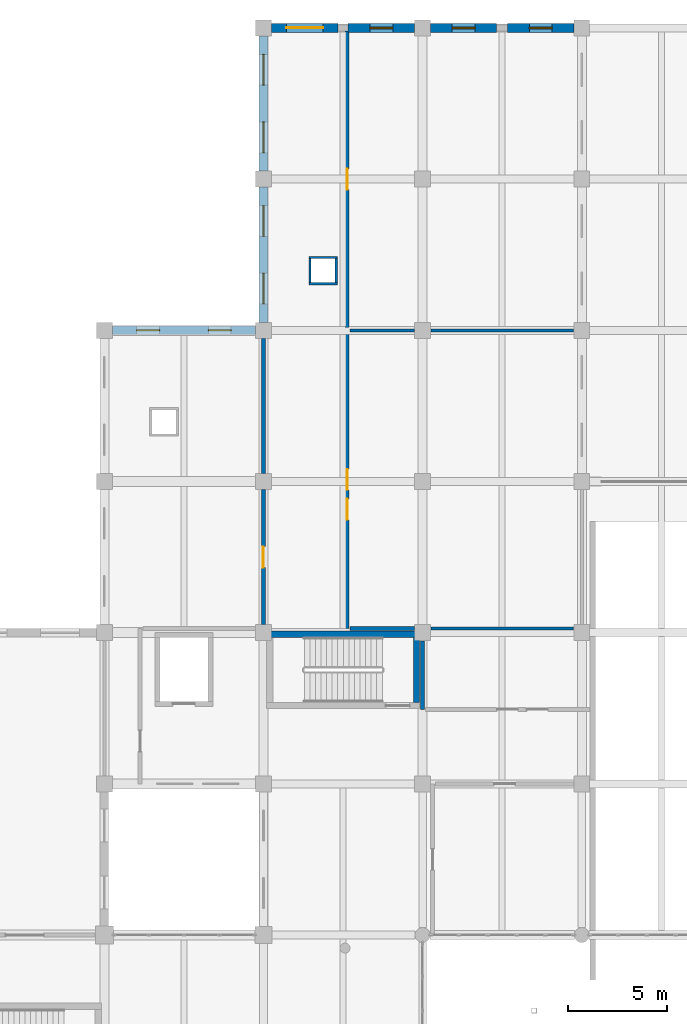
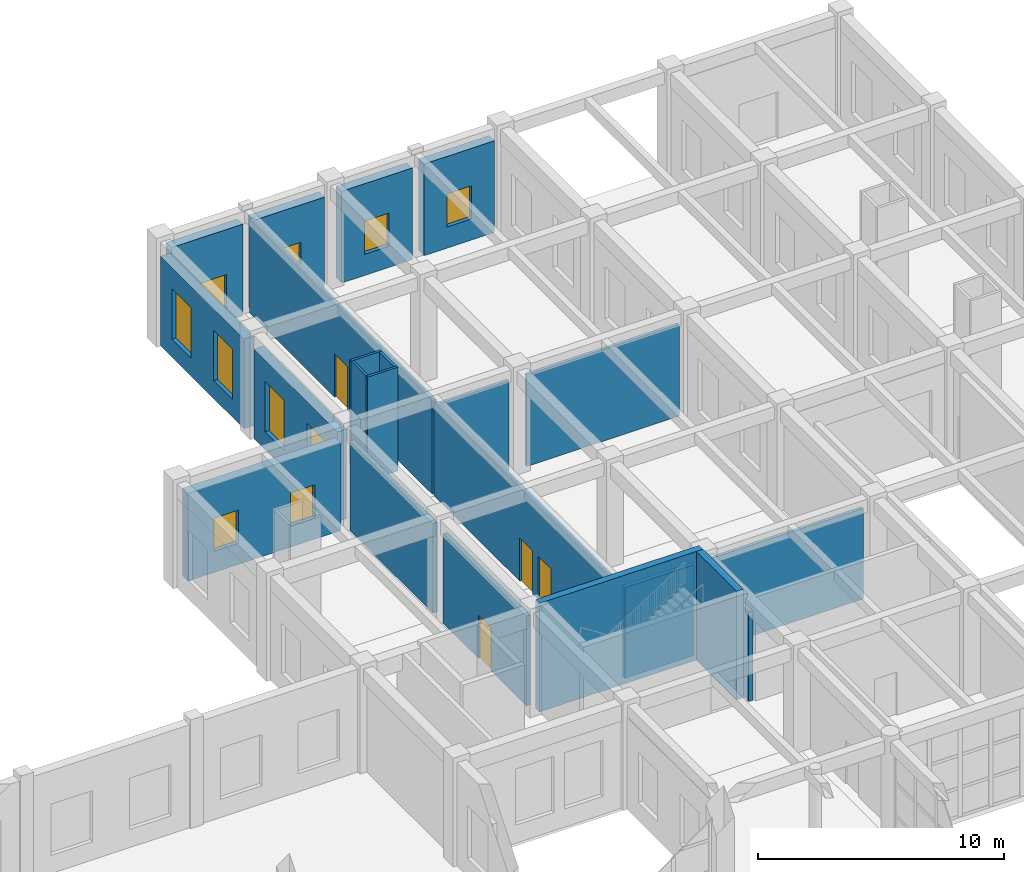
# One storey, part 80 of 95: 22 walls, 9 windows, 5 doors, 14 openings.
"""IFC4 building model written with IfcOpenShell, lengths in metres."""

from ifc_helpers import new_model, si_unit, direction, frame, frame_2d, origin, place, context, subcontext, project, spatial, rectangle, extrude, material, layer, layer_set, type_object, element, fill, save


model = new_model("IFC4")

# Units and contexts
model_context = context("Model", 3, precision=1e-05, world=origin(), true_north=direction((0.0, 1.0)))
body_context = subcontext(model_context, "Body", "Model", "MODEL_VIEW")
ifc_project = project(units=[si_unit("LENGTHUNIT", "METRE"), si_unit("AREAUNIT", "SQUARE_METRE"), si_unit("VOLUMEUNIT", "CUBIC_METRE"), si_unit("PLANEANGLEUNIT", "RADIAN"), si_unit("MASSUNIT", "GRAM", prefix="KILO")], contexts=[model_context])

# Site, building, storey
site_placement = place(None, origin())
site = spatial("IfcSite", under=ifc_project, at=site_placement, CompositionType="ELEMENT")
building_placement = place(site_placement, origin())
building = spatial("IfcBuilding", under=site, at=building_placement, Name="Zantavel Square City Hall", CompositionType="ELEMENT")
storey_placement = place(building_placement, origin())
storey = spatial("IfcBuildingStorey", under=building, at=storey_placement, Name="L01", CompositionType="ELEMENT", Elevation=0.0)

# Walls
ifc_material_1 = material(Name="Concrete C40/50", Category="concrete")
ifc_layer_1 = layer(ifc_material_1, 0.320068359375, Name="Concrete C40/50")
ifc_layer_set_1 = layer_set([ifc_layer_1], Name="Concrete C40/50")
wall_type_1 = type_object("IfcWallType", Name="Core Shear Wall RC 320mm C40/50", PredefinedType="SHEAR", material=ifc_layer_set_1)
wall_1_placement = place(storey_placement, frame((112.14990234375, 83.530029296875, 0.0), z_axis=(0.0, 0.0, 1.0), x_axis=(1.0, 0.0, 0.0)))
element("IfcWall", 1, at=wall_1_placement, inside=storey, type_object=wall_type_1, Name="L01 Exit Stair 2 North-East Core Shear Wall North", PredefinedType="SHEAR", context=body_context, shape_type="SweptSolid", body=[
    extrude(rectangle(XDim=7.7001953125, YDim=0.320068359375, at=frame_2d((3.85009765625, 0.0))), origin(), (0.0, 0.0, 1.0), 5.39990234375),
])
wall_2_placement = place(storey_placement, frame((119.68994140625, 83.3701171875, 0.0), z_axis=(0.0, 0.0, 1.0), x_axis=(0.0, -1.0, 0.0)))
element("IfcWall", 2, at=wall_2_placement, inside=storey, type_object=wall_type_1, Name="L01 Exit Stair 2 North-East Core Shear Wall East", PredefinedType="SHEAR", context=body_context, shape_type="SweptSolid", body=[
    extrude(rectangle(XDim=3.27001953125, YDim=0.320068359375, at=frame_2d((1.635009765625, 0.0))), origin(), (0.0, 0.0, 1.0), 5.39990234375),
])
ifc_material_2 = material(Name="Gypsum acoustic stud assembly", Category="masonry")
ifc_layer_2 = layer(ifc_material_2, 0.14990234375, Name="Gypsum acoustic stud assembly")
ifc_layer_set_2 = layer_set([ifc_layer_2], Name="Gypsum acoustic stud assembly")
wall_type_2 = type_object("IfcWallType", Name="Department Office Partition 150mm", PredefinedType="PARTITIONING", material=ifc_layer_set_2)
wall_3_placement = place(storey_placement, frame((116.35009765625, 98.800048828125, 0.0), z_axis=(0.0, 0.0, 1.0), x_axis=(1.0, 0.0, 0.0)))
element("IfcWall", 3, at=wall_3_placement, inside=storey, type_object=wall_type_2, Name="L01 Interior Wall IW-L01-0109", PredefinedType="PARTITIONING", context=body_context, shape_type="SweptSolid", body=[
    extrude(rectangle(XDim=3.239990234375, YDim=0.14990234375, at=frame_2d((1.6201171875, 0.0))), origin(), (0.0, 0.0, 1.0), 4.56005859375),
])
wall_4_placement = place(storey_placement, frame((120.409912109375, 98.800048828125, 0.0), z_axis=(0.0, 0.0, 1.0), x_axis=(1.0, 0.0, 0.0)))
element("IfcWall", 4, at=wall_4_placement, inside=storey, type_object=wall_type_2, Name="L01 Interior Wall IW-L01-0110", PredefinedType="PARTITIONING", context=body_context, shape_type="SweptSolid", body=[
    extrude(rectangle(XDim=7.18017578125, YDim=0.14990234375, at=frame_2d((3.590087890625, 0.0))), origin(), (0.0, 0.0, 1.0), 4.56005859375),
])
wall_5_placement = place(storey_placement, frame((127.590087890625, 83.800048828125, 0.0), z_axis=(0.0, 0.0, 1.0), x_axis=(-1.0, 0.0, 0.0)))
element("IfcWall", 5, at=wall_5_placement, inside=storey, type_object=wall_type_2, Name="L01 Interior Wall IW-L01-0112", PredefinedType="PARTITIONING", context=body_context, shape_type="SweptSolid", body=[
    extrude(rectangle(XDim=7.18017578125, YDim=0.14990234375, at=frame_2d((3.590087890625, 0.0))), origin(), (0.0, 0.0, 1.0), 4.510009765625),
])

# Wall, openings, doors
ifc_material_3 = material(Name="Cantera volcanic tuff stone", Category="masonry")
ifc_layer_3 = layer(ifc_material_3, 0.199951171875, Name="Cantera volcanic tuff stone")
ifc_layer_set_3 = layer_set([ifc_layer_3], Name="Cantera volcanic tuff stone")
wall_type_3 = type_object("IfcWallType", Name="Exit Corridor Rated Wall 200mm", PredefinedType="STANDARD", material=ifc_layer_set_3)
wall_6_placement = place(storey_placement, frame((116.199951171875, 98.800048828125, 0.0), z_axis=(0.0, 0.0, 1.0), x_axis=(0.0, -1.0, 0.0)))
wall_6 = element("IfcWall", 6, at=wall_6_placement, inside=storey, type_object=wall_type_3, Name="L01 Interior Wall IW-L01-0076", PredefinedType="STANDARD", context=body_context, shape_type="SweptSolid", body=[
    extrude(rectangle(XDim=15.0, YDim=0.199951171875, at=frame_2d((7.5, 0.0))), origin(), (0.0, 0.0, 1.0), 4.659912109375),
])
opening_1_placement = place(wall_6_placement, frame((6.97509765625, 0.0, 0.0)))
opening_1 = element("IfcOpeningElement", 7, at=opening_1_placement, cuts=wall_6, Name="Opening D-0033", PredefinedType="OPENING", context=body_context, shape_type="SweptSolid", body=[
    extrude(rectangle(XDim=1.050048828125, YDim=2.14990234375, at=frame_2d((0.52490234375, 1.074951171875))), frame((0.0, 0.10986328125, 0.0), z_axis=(0.0, -1.0, 0.0), x_axis=(1.0, 0.0, 0.0)), (0.0, 0.0, 1.0), 0.219970703125),
])
opening_2_placement = place(wall_6_placement, frame((8.47509765625, 0.0, 0.0)))
opening_2 = element("IfcOpeningElement", 8, at=opening_2_placement, cuts=wall_6, Name="Opening D-0064", PredefinedType="OPENING", context=body_context, shape_type="SweptSolid", body=[
    extrude(rectangle(XDim=1.050048828125, YDim=2.14990234375, at=frame_2d((0.52490234375, 1.074951171875))), frame((0.0, 0.10986328125, 0.0), z_axis=(0.0, -1.0, 0.0), x_axis=(1.0, 0.0, 0.0)), (0.0, 0.0, 1.0), 0.219970703125),
])
ifc_material_4 = material(Name="Solid oak hardwood", Category="wood")
door_type_1 = type_object("IfcDoorType", Name="Corridor Office Oak Fire Door 1050x2150 FD60S", OperationType="NOTDEFINED", PredefinedType="DOOR", material=ifc_material_4)
door_1_placement = place(opening_1_placement, origin())
door_1 = element("IfcDoor", 9, at=door_1_placement, inside=storey, type_object=door_type_1, Name="L01 Business Licensing and Permits Office Door", OperationType="SINGLE_SWING_LEFT", OverallHeight=2.14990234375, OverallWidth=1.050048828125, PredefinedType="DOOR", context=body_context, shape_type="SweptSolid", body=[
    extrude(rectangle(XDim=1.050048828125, YDim=2.14990234375, at=frame_2d((0.52490234375, 1.074951171875))), frame((0.0, 0.02490234375, 0.0), z_axis=(0.0, -1.0, 0.0), x_axis=(1.0, 0.0, 0.0)), (0.0, 0.0, 1.0), 0.050048828125),
])
fill(opening_1, door_1)
door_2_placement = place(opening_2_placement, origin())
door_2 = element("IfcDoor", 10, at=door_2_placement, inside=storey, type_object=door_type_1, Name="L01 Business Licensing and Permits Office Door", OperationType="SINGLE_SWING_RIGHT", OverallHeight=2.14990234375, OverallWidth=1.050048828125, PredefinedType="DOOR", context=body_context, shape_type="SweptSolid", body=[
    extrude(rectangle(XDim=1.050048828125, YDim=2.14990234375, at=frame_2d((0.52490234375, 1.074951171875))), frame((0.0, 0.02490234375, 0.0), z_axis=(0.0, -1.0, 0.0), x_axis=(1.0, 0.0, 0.0)), (0.0, 0.0, 1.0), 0.050048828125),
])
fill(opening_2, door_2)

# Wall, opening, door
wall_7_placement = place(storey_placement, frame((116.199951171875, 113.840087890625, 0.0), z_axis=(0.0, 0.0, 1.0), x_axis=(0.0, -1.0, 0.0)))
wall_7 = element("IfcWall", 11, at=wall_7_placement, inside=storey, type_object=wall_type_3, Name="L01 Interior Wall IW-L01-0077", PredefinedType="STANDARD", context=body_context, shape_type="SweptSolid", body=[
    extrude(rectangle(XDim=14.89013671875, YDim=0.199951171875, at=frame_2d((7.445068359375, 0.0))), origin(), (0.0, 0.0, 1.0), 4.659912109375),
])
opening_3_placement = place(wall_7_placement, frame((6.919921875, 0.0, 0.0)))
opening_3 = element("IfcOpeningElement", 12, at=opening_3_placement, cuts=wall_7, Name="Opening D-0034", PredefinedType="OPENING", context=body_context, shape_type="SweptSolid", body=[
    extrude(rectangle(XDim=1.050048828125, YDim=2.14990234375, at=frame_2d((0.52490234375, 1.074951171875))), frame((0.0, 0.10986328125, 0.0), z_axis=(0.0, -1.0, 0.0), x_axis=(1.0, 0.0, 0.0)), (0.0, 0.0, 1.0), 0.219970703125),
])
door_3_placement = place(opening_3_placement, origin())
door_3 = element("IfcDoor", 13, at=door_3_placement, inside=storey, type_object=door_type_1, Name="L01 Property Revenue Service Office Door", OperationType="SINGLE_SWING_RIGHT", OverallHeight=2.14990234375, OverallWidth=1.050048828125, PredefinedType="DOOR", context=body_context, shape_type="SweptSolid", body=[
    extrude(rectangle(XDim=1.050048828125, YDim=2.14990234375, at=frame_2d((0.52490234375, 1.074951171875))), frame((0.0, 0.02490234375, 0.0), z_axis=(0.0, -1.0, 0.0), x_axis=(1.0, 0.0, 0.0)), (0.0, 0.0, 1.0), 0.050048828125),
])
fill(opening_3, door_3)

wall_8_placement = place(storey_placement, frame((112.0, 84.010009765625, 0.0), z_axis=(0.0, 0.0, 1.0), x_axis=(0.0, 1.0, 0.0)))
wall_8 = element("IfcWall", 14, at=wall_8_placement, inside=storey, type_object=wall_type_3, Name="L01 Interior Wall IW-L01-0078", PredefinedType="STANDARD", context=body_context, shape_type="SweptSolid", body=[
    extrude(rectangle(XDim=6.780029296875, YDim=0.199951171875, at=frame_2d((3.39013671875, 0.0))), origin(), (0.0, 0.0, 1.0), 4.4599609375),
])
opening_4_placement = place(wall_8_placement, frame((2.864990234375, 0.0, 0.0)))
opening_4 = element("IfcOpeningElement", 15, at=opening_4_placement, cuts=wall_8, Name="Opening D-0035", PredefinedType="OPENING", context=body_context, shape_type="SweptSolid", body=[
    extrude(rectangle(XDim=1.050048828125, YDim=2.14990234375, at=frame_2d((0.52490234375, 1.074951171875))), frame((0.0, 0.10986328125, 0.0), z_axis=(0.0, -1.0, 0.0), x_axis=(1.0, 0.0, 0.0)), (0.0, 0.0, 1.0), 0.219970703125),
])
door_4_placement = place(opening_4_placement, origin())
door_4 = element("IfcDoor", 16, at=door_4_placement, inside=storey, type_object=door_type_1, Name="L01 L01 Municipal Support Office 1 Door", OperationType="SINGLE_SWING_LEFT", OverallHeight=2.14990234375, OverallWidth=1.050048828125, PredefinedType="DOOR", context=body_context, shape_type="SweptSolid", body=[
    extrude(rectangle(XDim=1.050048828125, YDim=2.14990234375, at=frame_2d((0.52490234375, 1.074951171875))), frame((0.0, 0.02490234375, 0.0), z_axis=(0.0, -1.0, 0.0), x_axis=(1.0, 0.0, 0.0)), (0.0, 0.0, 1.0), 0.050048828125),
])
fill(opening_4, door_4)

# Walls
wall_9_placement = place(storey_placement, frame((112.0, 91.610107421875, 0.0), z_axis=(0.0, 0.0, 1.0), x_axis=(0.0, 1.0, 0.0)))
element("IfcWall", 17, at=wall_9_placement, inside=storey, type_object=wall_type_3, Name="L01 Interior Wall IW-L01-0079", PredefinedType="STANDARD", context=body_context, shape_type="SweptSolid", body=[
    extrude(rectangle(XDim=6.77978515625, YDim=0.199951171875, at=frame_2d((3.389892578125, 0.0))), origin(), (0.0, 0.0, 1.0), 4.4599609375),
])
wall_10_placement = place(storey_placement, frame((116.35009765625, 83.800048828125, 0.0), z_axis=(0.0, 0.0, 1.0), x_axis=(1.0, 0.0, 0.0)))
element("IfcWall", 18, at=wall_10_placement, inside=storey, type_object=wall_type_3, Name="L01 Interior Wall IW-L01-0091", PredefinedType="STANDARD", context=body_context, shape_type="SweptSolid", body=[
    extrude(rectangle(XDim=3.239990234375, YDim=0.199951171875, at=frame_2d((1.6201171875, 0.0))), origin(), (0.0, 0.0, 1.0), 4.510009765625),
])
wall_11_placement = place(storey_placement, frame((120.0, 83.18994140625, 0.0), z_axis=(0.0, 0.0, 1.0), x_axis=(0.0, -1.0, 0.0)))
element("IfcWall", 19, at=wall_11_placement, inside=storey, type_object=wall_type_3, Name="L01 Interior Wall IW-L01-0094", PredefinedType="STANDARD", context=body_context, shape_type="SweptSolid", body=[
    extrude(rectangle(XDim=3.43994140625, YDim=0.199951171875, at=frame_2d((1.719970703125, 0.0))), origin(), (0.0, 0.0, 1.0), 4.4599609375),
])
ifc_material_5 = material(Name="Concrete C35/45", Category="concrete")
ifc_layer_4 = layer(ifc_material_5, 0.1201171875, Name="Concrete C35/45")
ifc_layer_set_4 = layer_set([ifc_layer_4], Name="Concrete C35/45")
wall_type_4 = type_object("IfcWallType", Name="Riser Chase Wall RC 120mm C35/45", PredefinedType="PARTITIONING", material=ifc_layer_set_4)
wall_12_placement = place(storey_placement, frame((115.719970703125, 101.139892578125, 0.0), z_axis=(0.0, 0.0, 1.0), x_axis=(-1.0, 0.0, 0.0)))
element("IfcWall", 20, at=wall_12_placement, inside=storey, type_object=wall_type_4, Name="L01 MEP Riser 23 Wall S", PredefinedType="PARTITIONING", context=body_context, shape_type="SweptSolid", body=[
    extrude(rectangle(XDim=1.43994140625, YDim=0.1201171875, at=frame_2d((0.719970703125, 0.0))), origin(), (0.0, 0.0, 1.0), 5.159912109375),
])
wall_13_placement = place(storey_placement, frame((114.340087890625, 101.199951171875, 0.0), z_axis=(0.0, 0.0, 1.0), x_axis=(0.0, 1.0, 0.0)))
element("IfcWall", 21, at=wall_13_placement, inside=storey, type_object=wall_type_4, Name="L01 MEP Riser 23 Wall W", PredefinedType="PARTITIONING", context=body_context, shape_type="SweptSolid", body=[
    extrude(rectangle(XDim=1.199951171875, YDim=0.1201171875, at=frame_2d((0.60009765625, 0.0))), origin(), (0.0, 0.0, 1.0), 5.159912109375),
])
wall_14_placement = place(storey_placement, frame((114.280029296875, 102.4599609375, 0.0), z_axis=(0.0, 0.0, 1.0), x_axis=(1.0, 0.0, 0.0)))
element("IfcWall", 22, at=wall_14_placement, inside=storey, type_object=wall_type_4, Name="L01 MEP Riser 23 Wall N", PredefinedType="PARTITIONING", context=body_context, shape_type="SweptSolid", body=[
    extrude(rectangle(XDim=1.43994140625, YDim=0.1201171875, at=frame_2d((0.719970703125, 0.0))), origin(), (0.0, 0.0, 1.0), 5.159912109375),
])
wall_15_placement = place(storey_placement, frame((115.659912109375, 102.39990234375, 0.0), z_axis=(0.0, 0.0, 1.0), x_axis=(0.0, -1.0, 0.0)))
element("IfcWall", 23, at=wall_15_placement, inside=storey, type_object=wall_type_4, Name="L01 MEP Riser 23 Wall E", PredefinedType="PARTITIONING", context=body_context, shape_type="SweptSolid", body=[
    extrude(rectangle(XDim=1.199951171875, YDim=0.1201171875, at=frame_2d((0.60009765625, 0.0))), origin(), (0.0, 0.0, 1.0), 5.159912109375),
])

# Wall, openings, windows
ifc_material_6 = material(Name="Tezontle volcanic basaltic scoria stone", Category="masonry")
ifc_layer_5 = layer(ifc_material_6, 0.43994140625, Name="Tezontle volcanic basaltic scoria stone")
ifc_layer_set_5 = layer_set([ifc_layer_5], Name="Tezontle volcanic basaltic scoria stone")
wall_type_5 = type_object("IfcWallType", Name="Tezontle Rusticated Plinth Wall 440mm", PredefinedType="STANDARD", material=ifc_layer_set_5)
wall_16_placement = place(storey_placement, frame((104.39990234375, 98.800048828125, 0.0), z_axis=(0.0, 0.0, 1.0), x_axis=(1.0, 0.0, 0.0)))
wall_16 = element("IfcWall", 24, at=wall_16_placement, inside=storey, type_object=wall_type_5, Name="L01 Exterior Wall EW-L01-031", PredefinedType="STANDARD", context=body_context, shape_type="SweptSolid", body=[
    extrude(rectangle(XDim=7.2001953125, YDim=0.43994140625, at=frame_2d((3.60009765625, 0.0))), origin(), (0.0, 0.0, 1.0), 4.360107421875),
])
opening_5_placement = place(wall_16_placement, frame((1.22509765625, 0.0, 1.050048828125)))
opening_5 = element("IfcOpeningElement", 25, at=opening_5_placement, cuts=wall_16, Name="Opening W-045", PredefinedType="OPENING", context=body_context, shape_type="SweptSolid", body=[
    extrude(rectangle(XDim=1.14990234375, YDim=1.64990234375, at=frame_2d((0.574951171875, 0.824951171875))), frame((0.0, 0.22998046875, 0.0), z_axis=(0.0, -1.0, 0.0), x_axis=(1.0, 0.0, 0.0)), (0.0, 0.0, 1.0), 0.4599609375),
])
opening_6_placement = place(wall_16_placement, frame((4.824951171875, 0.0, 1.050048828125)))
opening_6 = element("IfcOpeningElement", 26, at=opening_6_placement, cuts=wall_16, Name="Opening W-046", PredefinedType="OPENING", context=body_context, shape_type="SweptSolid", body=[
    extrude(rectangle(XDim=1.14990234375, YDim=1.64990234375, at=frame_2d((0.574951171875, 0.824951171875))), frame((0.0, 0.22998046875, 0.0), z_axis=(0.0, -1.0, 0.0), x_axis=(1.0, 0.0, 0.0)), (0.0, 0.0, 1.0), 0.4599609375),
])
ifc_material_7 = material(Name="Tempered safety glass low-E double glazing", Category="glass")
window_type_1 = type_object("IfcWindowType", Name="Window Ground North Compact 1150x1650", PartitioningType="SINGLE_PANEL", PredefinedType="WINDOW", material=ifc_material_7)
window_1_placement = place(opening_5_placement, origin())
window_1 = element("IfcWindow", 27, at=window_1_placement, inside=storey, type_object=window_type_1, Name="L01 Window W-045", OverallHeight=1.64990234375, OverallWidth=1.14990234375, PartitioningType="SINGLE_PANEL", PredefinedType="WINDOW", context=body_context, shape_type="SweptSolid", body=[
    extrude(rectangle(XDim=1.14990234375, YDim=1.64990234375, at=frame_2d((0.574951171875, 0.824951171875))), frame((0.0, 0.030029296875, 0.0), z_axis=(0.0, -1.0, 0.0), x_axis=(1.0, 0.0, 0.0)), (0.0, 0.0, 1.0), 0.06005859375),
])
fill(opening_5, window_1)
window_2_placement = place(opening_6_placement, origin())
window_2 = element("IfcWindow", 28, at=window_2_placement, inside=storey, type_object=window_type_1, Name="L01 Window W-046", OverallHeight=1.64990234375, OverallWidth=1.14990234375, PartitioningType="SINGLE_PANEL", PredefinedType="WINDOW", context=body_context, shape_type="SweptSolid", body=[
    extrude(rectangle(XDim=1.14990234375, YDim=1.64990234375, at=frame_2d((0.574951171875, 0.824951171875))), frame((0.0, 0.030029296875, 0.0), z_axis=(0.0, -1.0, 0.0), x_axis=(1.0, 0.0, 0.0)), (0.0, 0.0, 1.0), 0.06005859375),
])
fill(opening_6, window_2)

wall_17_placement = place(storey_placement, frame((112.0, 99.199951171875, 0.0), z_axis=(0.0, 0.0, 1.0), x_axis=(0.0, 1.0, 0.0)))
wall_17 = element("IfcWall", 29, at=wall_17_placement, inside=storey, type_object=wall_type_5, Name="L01 Exterior Wall EW-L01-032", PredefinedType="STANDARD", context=body_context, shape_type="SweptSolid", body=[
    extrude(rectangle(XDim=6.800048828125, YDim=0.43994140625, at=frame_2d((3.39990234375, 0.0))), origin(), (0.0, 0.0, 1.0), 4.4599609375),
])
opening_7_placement = place(wall_17_placement, frame((0.925048828125, 0.0, 0.89990234375)))
opening_7 = element("IfcOpeningElement", 30, at=opening_7_placement, cuts=wall_17, Name="Opening W-047", PredefinedType="OPENING", context=body_context, shape_type="SweptSolid", body=[
    extrude(rectangle(XDim=1.550048828125, YDim=2.5, at=frame_2d((0.77490234375, 1.25))), frame((0.0, 0.22998046875, 0.0), z_axis=(0.0, -1.0, 0.0), x_axis=(1.0, 0.0, 0.0)), (0.0, 0.0, 1.0), 0.4599609375),
])
opening_8_placement = place(wall_17_placement, frame((4.324951171875, 0.0, 0.89990234375)))
opening_8 = element("IfcOpeningElement", 31, at=opening_8_placement, cuts=wall_17, Name="Opening W-048", PredefinedType="OPENING", context=body_context, shape_type="SweptSolid", body=[
    extrude(rectangle(XDim=1.550048828125, YDim=2.5, at=frame_2d((0.77490234375, 1.25))), frame((0.0, 0.22998046875, 0.0), z_axis=(0.0, -1.0, 0.0), x_axis=(1.0, 0.0, 0.0)), (0.0, 0.0, 1.0), 0.4599609375),
])
window_type_2 = type_object("IfcWindowType", Name="Window Ground Annex 1550x2500", PartitioningType="DOUBLE_PANEL_VERTICAL", PredefinedType="WINDOW", material=ifc_material_7)
window_3_placement = place(opening_7_placement, origin())
window_3 = element("IfcWindow", 32, at=window_3_placement, inside=storey, type_object=window_type_2, Name="L01 Window W-047", OverallHeight=2.5, OverallWidth=1.550048828125, PartitioningType="DOUBLE_PANEL_VERTICAL", PredefinedType="WINDOW", context=body_context, shape_type="SweptSolid", body=[
    extrude(rectangle(XDim=1.550048828125, YDim=2.5, at=frame_2d((0.77490234375, 1.25))), frame((0.0, 0.030029296875, 0.0), z_axis=(0.0, -1.0, 0.0), x_axis=(1.0, 0.0, 0.0)), (0.0, 0.0, 1.0), 0.06005859375),
])
fill(opening_7, window_3)
window_4_placement = place(opening_8_placement, origin())
window_4 = element("IfcWindow", 33, at=window_4_placement, inside=storey, type_object=window_type_2, Name="L01 Window W-048", OverallHeight=2.5, OverallWidth=1.550048828125, PartitioningType="DOUBLE_PANEL_VERTICAL", PredefinedType="WINDOW", context=body_context, shape_type="SweptSolid", body=[
    extrude(rectangle(XDim=1.550048828125, YDim=2.5, at=frame_2d((0.77490234375, 1.25))), frame((0.0, 0.030029296875, 0.0), z_axis=(0.0, -1.0, 0.0), x_axis=(1.0, 0.0, 0.0)), (0.0, 0.0, 1.0), 0.06005859375),
])
fill(opening_8, window_4)

wall_18_placement = place(storey_placement, frame((112.0, 106.800048828125, 0.0), z_axis=(0.0, 0.0, 1.0), x_axis=(0.0, 1.0, 0.0)))
wall_18 = element("IfcWall", 34, at=wall_18_placement, inside=storey, type_object=wall_type_5, Name="L01 Exterior Wall EW-L01-033", PredefinedType="STANDARD", context=body_context, shape_type="SweptSolid", body=[
    extrude(rectangle(XDim=6.800048828125, YDim=0.43994140625, at=frame_2d((3.39990234375, 0.0))), origin(), (0.0, 0.0, 1.0), 4.4599609375),
])
opening_9_placement = place(wall_18_placement, frame((0.925048828125, 0.0, 0.89990234375)))
opening_9 = element("IfcOpeningElement", 35, at=opening_9_placement, cuts=wall_18, Name="Opening W-049", PredefinedType="OPENING", context=body_context, shape_type="SweptSolid", body=[
    extrude(rectangle(XDim=1.550048828125, YDim=2.5, at=frame_2d((0.77490234375, 1.25))), frame((0.0, 0.22998046875, 0.0), z_axis=(0.0, -1.0, 0.0), x_axis=(1.0, 0.0, 0.0)), (0.0, 0.0, 1.0), 0.4599609375),
])
opening_10_placement = place(wall_18_placement, frame((4.324951171875, 0.0, 0.89990234375)))
opening_10 = element("IfcOpeningElement", 36, at=opening_10_placement, cuts=wall_18, Name="Opening W-050", PredefinedType="OPENING", context=body_context, shape_type="SweptSolid", body=[
    extrude(rectangle(XDim=1.550048828125, YDim=2.5, at=frame_2d((0.77490234375, 1.25))), frame((0.0, 0.22998046875, 0.0), z_axis=(0.0, -1.0, 0.0), x_axis=(1.0, 0.0, 0.0)), (0.0, 0.0, 1.0), 0.4599609375),
])
window_5_placement = place(opening_9_placement, origin())
window_5 = element("IfcWindow", 37, at=window_5_placement, inside=storey, type_object=window_type_2, Name="L01 Window W-049", OverallHeight=2.5, OverallWidth=1.550048828125, PartitioningType="DOUBLE_PANEL_VERTICAL", PredefinedType="WINDOW", context=body_context, shape_type="SweptSolid", body=[
    extrude(rectangle(XDim=1.550048828125, YDim=2.5, at=frame_2d((0.77490234375, 1.25))), frame((0.0, 0.030029296875, 0.0), z_axis=(0.0, -1.0, 0.0), x_axis=(1.0, 0.0, 0.0)), (0.0, 0.0, 1.0), 0.06005859375),
])
fill(opening_9, window_5)
window_6_placement = place(opening_10_placement, origin())
window_6 = element("IfcWindow", 38, at=window_6_placement, inside=storey, type_object=window_type_2, Name="L01 Window W-050", OverallHeight=2.5, OverallWidth=1.550048828125, PartitioningType="DOUBLE_PANEL_VERTICAL", PredefinedType="WINDOW", context=body_context, shape_type="SweptSolid", body=[
    extrude(rectangle(XDim=1.550048828125, YDim=2.5, at=frame_2d((0.77490234375, 1.25))), frame((0.0, 0.030029296875, 0.0), z_axis=(0.0, -1.0, 0.0), x_axis=(1.0, 0.0, 0.0)), (0.0, 0.0, 1.0), 0.06005859375),
])
fill(opening_10, window_6)

# Wall, opening, door
wall_19_placement = place(storey_placement, frame((112.39990234375, 114.0, 0.0), z_axis=(0.0, 0.0, 1.0), x_axis=(1.0, 0.0, 0.0)))
wall_19 = element("IfcWall", 39, at=wall_19_placement, inside=storey, type_object=wall_type_5, Name="L01 Exterior Wall EW-L01-034", PredefinedType="STANDARD", context=body_context, shape_type="SweptSolid", body=[
    extrude(rectangle(XDim=3.35009765625, YDim=0.43994140625, at=frame_2d((1.675048828125, 0.0))), origin(), (0.0, 0.0, 1.0), 4.56005859375),
])
opening_11_placement = place(wall_19_placement, frame((0.7548828125, 0.0, 0.0)))
opening_11 = element("IfcOpeningElement", 40, at=opening_11_placement, cuts=wall_19, Name="Opening ED-005", PredefinedType="OPENING", context=body_context, shape_type="SweptSolid", body=[
    extrude(rectangle(XDim=1.840087890625, YDim=2.320068359375, at=frame_2d((0.919921875, 1.16015625))), frame((0.0, 0.22998046875, 0.0), z_axis=(0.0, -1.0, 0.0), x_axis=(1.0, 0.0, 0.0)), (0.0, 0.0, 1.0), 0.4599609375),
])
ifc_material_8 = material(Name="Steel ASTM A500 Grade B", Category="steel")
door_type_2 = type_object("IfcDoorType", Name="Stair Final Discharge Exit Door 1840x2320", OperationType="NOTDEFINED", PredefinedType="DOOR", material=ifc_material_8)
door_5_placement = place(opening_11_placement, origin())
door_5 = element("IfcDoor", 41, at=door_5_placement, inside=storey, type_object=door_type_2, Name="North-East Wing Street Exit", OperationType="DOUBLE_DOOR_SINGLE_SWING", OverallHeight=2.320068359375, OverallWidth=1.840087890625, PredefinedType="DOOR", context=body_context, shape_type="SweptSolid", body=[
    extrude(rectangle(XDim=1.840087890625, YDim=2.320068359375, at=frame_2d((0.919921875, 1.16015625))), frame((0.0, 0.02490234375, 0.0), z_axis=(0.0, -1.0, 0.0), x_axis=(1.0, 0.0, 0.0)), (0.0, 0.0, 1.0), 0.050048828125),
])
fill(opening_11, door_5)

# Wall, opening, window
wall_20_placement = place(storey_placement, frame((116.25, 114.0, 0.0), z_axis=(0.0, 0.0, 1.0), x_axis=(1.0, 0.0, 0.0)))
wall_20 = element("IfcWall", 42, at=wall_20_placement, inside=storey, type_object=wall_type_5, Name="L01 Exterior Wall EW-L01-035", PredefinedType="STANDARD", context=body_context, shape_type="SweptSolid", body=[
    extrude(rectangle(XDim=3.35009765625, YDim=0.43994140625, at=frame_2d((1.675048828125, 0.0))), origin(), (0.0, 0.0, 1.0), 4.56005859375),
])
opening_12_placement = place(wall_20_placement, frame((1.10009765625, 0.0, 1.050048828125)))
opening_12 = element("IfcOpeningElement", 43, at=opening_12_placement, cuts=wall_20, Name="Opening W-051", PredefinedType="OPENING", context=body_context, shape_type="SweptSolid", body=[
    extrude(rectangle(XDim=1.14990234375, YDim=1.64990234375, at=frame_2d((0.574951171875, 0.824951171875))), frame((0.0, 0.22998046875, 0.0), z_axis=(0.0, -1.0, 0.0), x_axis=(1.0, 0.0, 0.0)), (0.0, 0.0, 1.0), 0.4599609375),
])
window_7_placement = place(opening_12_placement, origin())
window_7 = element("IfcWindow", 44, at=window_7_placement, inside=storey, type_object=window_type_1, Name="L01 Window W-051", OverallHeight=1.64990234375, OverallWidth=1.14990234375, PartitioningType="SINGLE_PANEL", PredefinedType="WINDOW", context=body_context, shape_type="SweptSolid", body=[
    extrude(rectangle(XDim=1.14990234375, YDim=1.64990234375, at=frame_2d((0.574951171875, 0.824951171875))), frame((0.0, 0.030029296875, 0.0), z_axis=(0.0, -1.0, 0.0), x_axis=(1.0, 0.0, 0.0)), (0.0, 0.0, 1.0), 0.06005859375),
])
fill(opening_12, window_7)

wall_21_placement = place(storey_placement, frame((120.39990234375, 114.0, 0.0), z_axis=(0.0, 0.0, 1.0), x_axis=(1.0, 0.0, 0.0)))
wall_21 = element("IfcWall", 45, at=wall_21_placement, inside=storey, type_object=wall_type_5, Name="L01 Exterior Wall EW-L01-036", PredefinedType="STANDARD", context=body_context, shape_type="SweptSolid", body=[
    extrude(rectangle(XDim=3.3251953125, YDim=0.43994140625, at=frame_2d((1.66259765625, 0.0))), origin(), (0.0, 0.0, 1.0), 4.56005859375),
])
opening_13_placement = place(wall_21_placement, frame((1.08740234375, 0.0, 1.050048828125)))
opening_13 = element("IfcOpeningElement", 46, at=opening_13_placement, cuts=wall_21, Name="Opening W-052", PredefinedType="OPENING", context=body_context, shape_type="SweptSolid", body=[
    extrude(rectangle(XDim=1.14990234375, YDim=1.64990234375, at=frame_2d((0.574951171875, 0.824951171875))), frame((0.0, 0.22998046875, 0.0), z_axis=(0.0, -1.0, 0.0), x_axis=(1.0, 0.0, 0.0)), (0.0, 0.0, 1.0), 0.4599609375),
])
window_8_placement = place(opening_13_placement, origin())
window_8 = element("IfcWindow", 47, at=window_8_placement, inside=storey, type_object=window_type_1, Name="L01 Window W-052", OverallHeight=1.64990234375, OverallWidth=1.14990234375, PartitioningType="SINGLE_PANEL", PredefinedType="WINDOW", context=body_context, shape_type="SweptSolid", body=[
    extrude(rectangle(XDim=1.14990234375, YDim=1.64990234375, at=frame_2d((0.574951171875, 0.824951171875))), frame((0.0, 0.030029296875, 0.0), z_axis=(0.0, -1.0, 0.0), x_axis=(1.0, 0.0, 0.0)), (0.0, 0.0, 1.0), 0.06005859375),
])
fill(opening_13, window_8)

wall_22_placement = place(storey_placement, frame((124.27490234375, 114.0, 0.0), z_axis=(0.0, 0.0, 1.0), x_axis=(1.0, 0.0, 0.0)))
wall_22 = element("IfcWall", 48, at=wall_22_placement, inside=storey, type_object=wall_type_5, Name="L01 Exterior Wall EW-L01-037", PredefinedType="STANDARD", context=body_context, shape_type="SweptSolid", body=[
    extrude(rectangle(XDim=3.3251953125, YDim=0.43994140625, at=frame_2d((1.66259765625, 0.0))), origin(), (0.0, 0.0, 1.0), 4.56005859375),
])
opening_14_placement = place(wall_22_placement, frame((1.08740234375, 0.0, 1.050048828125)))
opening_14 = element("IfcOpeningElement", 49, at=opening_14_placement, cuts=wall_22, Name="Opening W-053", PredefinedType="OPENING", context=body_context, shape_type="SweptSolid", body=[
    extrude(rectangle(XDim=1.14990234375, YDim=1.64990234375, at=frame_2d((0.574951171875, 0.824951171875))), frame((0.0, 0.22998046875, 0.0), z_axis=(0.0, -1.0, 0.0), x_axis=(1.0, 0.0, 0.0)), (0.0, 0.0, 1.0), 0.4599609375),
])
window_9_placement = place(opening_14_placement, origin())
window_9 = element("IfcWindow", 50, at=window_9_placement, inside=storey, type_object=window_type_1, Name="L01 Window W-053", OverallHeight=1.64990234375, OverallWidth=1.14990234375, PartitioningType="SINGLE_PANEL", PredefinedType="WINDOW", context=body_context, shape_type="SweptSolid", body=[
    extrude(rectangle(XDim=1.14990234375, YDim=1.64990234375, at=frame_2d((0.574951171875, 0.824951171875))), frame((0.0, 0.030029296875, 0.0), z_axis=(0.0, -1.0, 0.0), x_axis=(1.0, 0.0, 0.0)), (0.0, 0.0, 1.0), 0.06005859375),
])
fill(opening_14, window_9)

save(model, "model.ifc")
